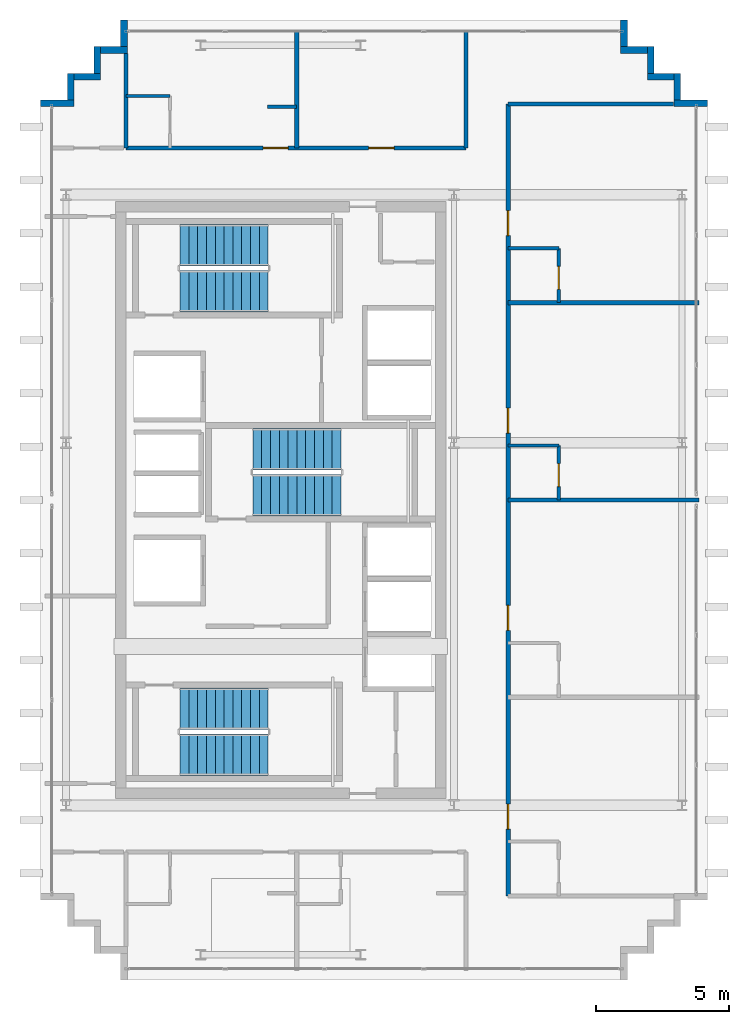
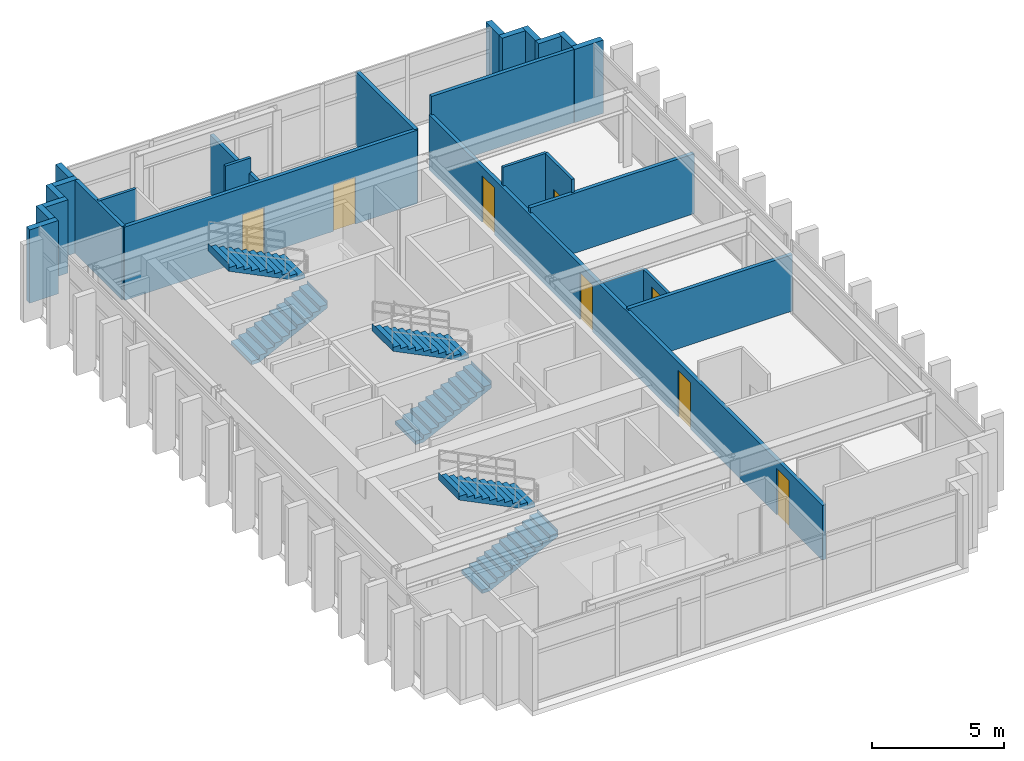
# One storey, part 14 of 15: 26 walls, 8 doors, 6 stair flights, 8 openings, 3 elements without a shape of their own.
"""IFC4 building model written with IfcOpenShell, lengths in metres."""

from ifc_helpers import new_model, si_unit, direction, frame, frame_2d, origin, place, context, subcontext, project, spatial, polyline, rectangle, outline, extrude, source, transform, mapped, material, layer, layer_set, type_object, element, fill, aggregate, save


model = new_model("IFC4")

# Units and contexts
model_context = context("Model", 3, precision=1e-05, world=origin(), true_north=direction((0.0, 1.0)))
body_context = subcontext(model_context, "Body", "Model", "MODEL_VIEW")
ifc_project = project(units=[si_unit("LENGTHUNIT", "METRE"), si_unit("AREAUNIT", "SQUARE_METRE"), si_unit("VOLUMEUNIT", "CUBIC_METRE"), si_unit("PLANEANGLEUNIT", "RADIAN"), si_unit("MASSUNIT", "GRAM", prefix="KILO")], contexts=[model_context])

# Site, building, storey
site_placement = place(None, origin())
site = spatial("IfcSite", under=ifc_project, at=site_placement, CompositionType="ELEMENT")
building_placement = place(site_placement, origin())
building = spatial("IfcBuilding", under=site, at=building_placement, Name="Ocotamira Hotel", CompositionType="ELEMENT")
storey_placement = place(building_placement, frame((0.0, 0.0, 286.800048828125)))
storey = spatial("IfcBuildingStorey", under=building, at=storey_placement, Name="L73", CompositionType="ELEMENT", Elevation=286.800048828125)

# Walls
ifc_material_1 = material(Name="Precast concrete C45/55", Category="concrete")
ifc_layer_1 = layer(ifc_material_1, 0.25)
ifc_layer_set_1 = layer_set([ifc_layer_1], Name="Precast concrete C45/55")
wall_type_1 = type_object("IfcWallType", Name="WL-EXT-SER-250", PredefinedType="SOLIDWALL", material=ifc_layer_set_1)
wall_1_placement = place(storey_placement, frame((33.0, 40.875, 0.0), z_axis=(0.0, 0.0, 1.0), x_axis=(-1.0, 0.0, 0.0)))
element("IfcWall", 1, at=wall_1_placement, inside=storey, type_object=wall_type_1, Name="L73 Serrated Corner Wall 07", PredefinedType="SOLIDWALL", context=body_context, shape_type="SweptSolid", body=[
    extrude(rectangle(XDim=1.25, YDim=0.25, at=frame_2d((0.625, 0.0))), origin(), (0.0, 0.0, 1.0), 3.3798828125),
])
for number, where, z_axis, x_axis, name in (
    (2, (31.875, 41.0, 0.0), (0.0, 0.0, 1.0), (0.0, 1.0, 0.0), "L73 Serrated Corner Wall 08"),
    (3, (31.75, 41.875, 0.0), (0.0, 0.0, 1.0), (-1.0, 0.0, 0.0), "L73 Serrated Corner Wall 09"),
    (4, (30.875, 42.0, 0.0), (0.0, 0.0, 1.0), (0.0, 1.0, 0.0), "L73 Serrated Corner Wall 10"),
    (5, (30.75, 42.875, 0.0), (0.0, 0.0, 1.0), (-1.0, 0.0, 0.0), "L73 Serrated Corner Wall 11"),
    (6, (29.875, 43.0, 0.0), (0.0, 0.0, 1.0), (0.0, 1.0, 0.0), "L73 Serrated Corner Wall 12"),
    (7, (11.125, 44.0, 0.0), (0.0, 0.0, 1.0), (0.0, -1.0, 0.0), "L73 Serrated Corner Wall 13"),
    (8, (11.25, 42.875, 0.0), (0.0, 0.0, 1.0), (-1.0, 0.0, 0.0), "L73 Serrated Corner Wall 14"),
    (9, (10.125, 43.0, 0.0), (0.0, 0.0, 1.0), (0.0, -1.0, 0.0), "L73 Serrated Corner Wall 15"),
    (10, (10.25, 41.875, 0.0), (0.0, 0.0, 1.0), (-1.0, 0.0, 0.0), "L73 Serrated Corner Wall 16"),
    (11, (9.125, 42.0, 0.0), (0.0, 0.0, 1.0), (0.0, -1.0, 0.0), "L73 Serrated Corner Wall 17"),
):
    element("IfcWall", number, at=place(storey_placement, frame(where, z_axis=z_axis, x_axis=x_axis)), inside=storey, type_object=wall_type_1, Name=name, PredefinedType="SOLIDWALL", context=body_context, shape_type="SweptSolid", body=[
        extrude(rectangle(XDim=1.0, YDim=0.25, at=frame_2d((0.5, 0.0))), origin(), (0.0, 0.0, 1.0), 3.3798828125),
    ])
wall_2_placement = place(storey_placement, frame((9.25, 40.875, 0.0), z_axis=(0.0, 0.0, 1.0), x_axis=(-1.0, 0.0, 0.0)))
element("IfcWall", 12, at=wall_2_placement, inside=storey, type_object=wall_type_1, Name="L73 Serrated Corner Wall 18", PredefinedType="SOLIDWALL", context=body_context, shape_type="SweptSolid", body=[
    extrude(rectangle(XDim=1.25, YDim=0.25, at=frame_2d((0.625, 0.0))), origin(), (0.0, 0.0, 1.0), 3.3798828125),
])

# Wall, openings, doors
ifc_material_2 = material(Name="Acoustic double-layer fire gypsum board partition", Category="gypsum")
ifc_layer_2 = layer(ifc_material_2, 0.159912109375)
ifc_layer_set_2 = layer_set([ifc_layer_2], Name="Acoustic double-layer fire gypsum board partition")
wall_type_2 = type_object("IfcWallType", Name="WL-FIRE-160", PredefinedType="PARTITIONING", material=ifc_layer_set_2)
wall_3_placement = place(storey_placement, frame((11.199951171875, 39.199951171875, 0.0), z_axis=(0.0, 0.0, 1.0), x_axis=(1.0, 0.0, 0.0)))
wall_3 = element("IfcWall", 13, at=wall_3_placement, inside=storey, type_object=wall_type_2, Name="L73 Interior Wall PW-L73-WP1N-CORRW", PredefinedType="PARTITIONING", context=body_context, shape_type="SweptSolid", body=[
    extrude(rectangle(XDim=12.75, YDim=0.159912109375, at=frame_2d((6.375, 0.0))), origin(), (0.0, 0.0, 1.0), 3.3798828125),
])
opening_1_placement = place(wall_3_placement, frame((5.139892578125, 0.0, 0.0)))
opening_1 = element("IfcOpeningElement", 14, at=opening_1_placement, cuts=wall_3, Name="Opening D-GR1", PredefinedType="OPENING", context=body_context, shape_type="SweptSolid", body=[
    extrude(rectangle(XDim=0.93994140625, YDim=2.14990234375, at=frame_2d((0.469970703125, 1.074951171875))), frame((0.0, 0.08984375, 0.0), z_axis=(0.0, -1.0, 0.0), x_axis=(1.0, 0.0, 0.0)), (0.0, 0.0, 1.0), 0.179931640625),
])
opening_2_placement = place(wall_3_placement, frame((9.094970703125, 0.0, 0.0)))
opening_2 = element("IfcOpeningElement", 15, at=opening_2_placement, cuts=wall_3, Name="Opening D-SV4", PredefinedType="OPENING", context=body_context, shape_type="SweptSolid", body=[
    extrude(rectangle(XDim=0.9599609375, YDim=2.14990234375, at=frame_2d((0.47998046875, 1.074951171875))), frame((0.0, 0.08984375, 0.0), z_axis=(0.0, -1.0, 0.0), x_axis=(1.0, 0.0, 0.0)), (0.0, 0.0, 1.0), 0.179931640625),
])
ifc_material_3 = material(Name="Fire-rated accessible walnut salon door", Category="wood")
door_type_1 = type_object("IfcDoorType", Name="DR-SERV-960", OperationType="NOTDEFINED", PredefinedType="DOOR", material=ifc_material_3)
shared_shape_1 = source(origin(), body_context, "Body", "SweptSolid", [
    extrude(rectangle(XDim=0.9599609375, YDim=2.14990234375, at=frame_2d((0.47998046875, 1.074951171875))), frame((0.0, 0.02490234375, 0.0), z_axis=(0.0, -1.0, 0.0), x_axis=(1.0, 0.0, 0.0)), (0.0, 0.0, 1.0), 0.050048828125),
])
door_1_placement = place(opening_2_placement, origin())
door_1 = element("IfcDoor", 16, at=door_1_placement, inside=storey, type_object=door_type_1, Name="L73 Door ID-L73-WP1N-AMD2 [ID-L73-WP1N-AMD2]", OperationType="SINGLE_SWING_RIGHT", OverallHeight=2.14990234375, OverallWidth=0.9599609375, PredefinedType="DOOR", context=body_context, shape_type="MappedRepresentation", body=[
    mapped(shared_shape_1, transform((0.0, 0.0, 0.0), scale=1.0)),
])
fill(opening_2, door_1)
ifc_material_4 = material(Name="Solid-core walnut suite entrance fire door", Category="wood")
door_type_2 = type_object("IfcDoorType", Name="DR-GUEST-940", OperationType="NOTDEFINED", PredefinedType="DOOR", material=ifc_material_4)
shared_shape_2 = source(origin(), body_context, "Body", "SweptSolid", [
    extrude(rectangle(XDim=0.93994140625, YDim=2.14990234375, at=frame_2d((0.469970703125, 1.074951171875))), frame((0.0, 0.02490234375, 0.0), z_axis=(0.0, -1.0, 0.0), x_axis=(1.0, 0.0, 0.0)), (0.0, 0.0, 1.0), 0.050048828125),
])
door_2_placement = place(opening_1_placement, origin())
door_2 = element("IfcDoor", 17, at=door_2_placement, inside=storey, type_object=door_type_2, Name="L73 Door ID-L73-WP1N-RMD1 [ID-L73-WP1N-RMD1]", OperationType="SINGLE_SWING_LEFT", OverallHeight=2.14990234375, OverallWidth=0.93994140625, PredefinedType="DOOR", context=body_context, shape_type="MappedRepresentation", body=[
    mapped(shared_shape_2, transform((0.0, 0.0, 0.0), scale=1.0)),
])
fill(opening_1, door_2)

wall_4_placement = place(storey_placement, frame((25.530029296875, 11.14990234375, 0.0), z_axis=(0.0, 0.0, 1.0), x_axis=(0.0, 1.0, 0.0)))
wall_4 = element("IfcWall", 18, at=wall_4_placement, inside=storey, type_object=wall_type_2, Name="L73 Interior Wall PW-L73-WP-EASTW-FULL", PredefinedType="PARTITIONING", context=body_context, shape_type="SweptSolid", body=[
    extrude(rectangle(XDim=29.7001953125, YDim=0.159912109375, at=frame_2d((14.85009765625, 0.0))), origin(), (0.0, 0.0, 1.0), 2.52392578125),
])
opening_3_placement = place(wall_4_placement, frame((2.510009765625, 0.0, 0.0)))
opening_3 = element("IfcOpeningElement", 19, at=opening_3_placement, cuts=wall_4, Name="Opening D-GR1", PredefinedType="OPENING", context=body_context, shape_type="SweptSolid", body=[
    extrude(rectangle(XDim=0.93994140625, YDim=2.14990234375, at=frame_2d((0.469970703125, 1.074951171875))), frame((0.0, 0.08984375, 0.0), z_axis=(0.0, -1.0, 0.0), x_axis=(1.0, 0.0, 0.0)), (0.0, 0.0, 1.0), 0.179931640625),
])
opening_4_placement = place(wall_4_placement, frame((9.9599609375, 0.0, 0.0)))
opening_4 = element("IfcOpeningElement", 20, at=opening_4_placement, cuts=wall_4, Name="Opening D-GR1", PredefinedType="OPENING", context=body_context, shape_type="SweptSolid", body=[
    extrude(rectangle(XDim=0.93994140625, YDim=2.14990234375, at=frame_2d((0.469970703125, 1.074951171875))), frame((0.0, 0.08984375, 0.0), z_axis=(0.0, -1.0, 0.0), x_axis=(1.0, 0.0, 0.0)), (0.0, 0.0, 1.0), 0.179931640625),
])
opening_5_placement = place(wall_4_placement, frame((17.360107421875, 0.0, 0.0)))
opening_5 = element("IfcOpeningElement", 21, at=opening_5_placement, cuts=wall_4, Name="Opening D-GR1", PredefinedType="OPENING", context=body_context, shape_type="SweptSolid", body=[
    extrude(rectangle(XDim=0.93994140625, YDim=2.14990234375, at=frame_2d((0.469970703125, 1.074951171875))), frame((0.0, 0.08984375, 0.0), z_axis=(0.0, -1.0, 0.0), x_axis=(1.0, 0.0, 0.0)), (0.0, 0.0, 1.0), 0.179931640625),
])
opening_6_placement = place(wall_4_placement, frame((24.760009765625, 0.0, 0.0)))
opening_6 = element("IfcOpeningElement", 22, at=opening_6_placement, cuts=wall_4, Name="Opening D-GR1", PredefinedType="OPENING", context=body_context, shape_type="SweptSolid", body=[
    extrude(rectangle(XDim=0.93994140625, YDim=2.14990234375, at=frame_2d((0.469970703125, 1.074951171875))), frame((0.0, 0.08984375, 0.0), z_axis=(0.0, -1.0, 0.0), x_axis=(1.0, 0.0, 0.0)), (0.0, 0.0, 1.0), 0.179931640625),
])
door_3_placement = place(opening_3_placement, origin())
door_3 = element("IfcDoor", 23, at=door_3_placement, inside=storey, type_object=door_type_2, Name="L73 Door ID-L73-WP-ERD1 [ID-L73-WP-ERD1]", OperationType="SINGLE_SWING_LEFT", OverallHeight=2.14990234375, OverallWidth=0.93994140625, PredefinedType="DOOR", context=body_context, shape_type="MappedRepresentation", body=[
    mapped(shared_shape_2, transform((0.0, 0.0, 0.0), scale=1.0)),
])
fill(opening_3, door_3)
door_4_placement = place(opening_4_placement, origin())
door_4 = element("IfcDoor", 24, at=door_4_placement, inside=storey, type_object=door_type_2, Name="L73 Door ID-L73-WP-ERD2 [ID-L73-WP-ERD2]", OperationType="SINGLE_SWING_RIGHT", OverallHeight=2.14990234375, OverallWidth=0.93994140625, PredefinedType="DOOR", context=body_context, shape_type="MappedRepresentation", body=[
    mapped(shared_shape_2, transform((0.0, 0.0, 0.0), scale=1.0)),
])
fill(opening_4, door_4)
door_5_placement = place(opening_5_placement, origin())
door_5 = element("IfcDoor", 25, at=door_5_placement, inside=storey, type_object=door_type_2, Name="L73 Door ID-L73-WP-ERD3 [ID-L73-WP-ERD3]", OperationType="SINGLE_SWING_LEFT", OverallHeight=2.14990234375, OverallWidth=0.93994140625, PredefinedType="DOOR", context=body_context, shape_type="MappedRepresentation", body=[
    mapped(shared_shape_2, transform((0.0, 0.0, 0.0), scale=1.0)),
])
fill(opening_5, door_5)
door_6_placement = place(opening_6_placement, origin())
door_6 = element("IfcDoor", 26, at=door_6_placement, inside=storey, type_object=door_type_2, Name="L73 Door ID-L73-WP-ERD4 [ID-L73-WP-ERD4]", OperationType="SINGLE_SWING_RIGHT", OverallHeight=2.14990234375, OverallWidth=0.93994140625, PredefinedType="DOOR", context=body_context, shape_type="MappedRepresentation", body=[
    mapped(shared_shape_2, transform((0.0, 0.0, 0.0), scale=1.0)),
])
fill(opening_6, door_6)

# Walls
ifc_material_5 = material(Name="Moisture-resistant en-suite tile and gypsum partition", Category="gypsum")
ifc_layer_3 = layer(ifc_material_5, 0.1201171875)
ifc_layer_set_3 = layer_set([ifc_layer_3], Name="Moisture-resistant en-suite tile and gypsum partition")
wall_type_3 = type_object("IfcWallType", Name="WL-PART-120", PredefinedType="PARTITIONING", material=ifc_layer_set_3)
wall_5_placement = place(storey_placement, frame((11.199951171875, 41.14990234375, 0.0), z_axis=(0.0, 0.0, 1.0), x_axis=(1.0, 0.0, 0.0)))
element("IfcWall", 27, at=wall_5_placement, inside=storey, type_object=wall_type_3, Name="L73 Interior Wall PW-L73-WP1N-BAN1", PredefinedType="PARTITIONING", context=body_context, shape_type="SweptSolid", body=[
    extrude(rectangle(XDim=1.650146484375, YDim=0.1201171875, at=frame_2d((0.8251953125, 0.0))), origin(), (0.0, 0.0, 1.0), 3.3798828125),
])
wall_6_placement = place(storey_placement, frame((16.5, 40.75, 0.0), z_axis=(0.0, 0.0, 1.0), x_axis=(1.0, 0.0, 0.0)))
element("IfcWall", 28, at=wall_6_placement, inside=storey, type_object=wall_type_3, Name="L73 Interior Wall PW-L73-WP1N-DRN1", PredefinedType="PARTITIONING", context=body_context, shape_type="SweptSolid", body=[
    extrude(rectangle(XDim=1.10009765625, YDim=0.1201171875, at=frame_2d((0.550048828125, 0.0))), origin(), (0.0, 0.0, 1.0), 3.3798828125),
])

# Wall, opening, door
wall_7_placement = place(storey_placement, frame((27.429931640625, 26.0, 0.0), z_axis=(0.0, 0.0, 1.0), x_axis=(0.0, 1.0, 0.0)))
wall_7 = element("IfcWall", 29, at=wall_7_placement, inside=storey, type_object=wall_type_3, Name="L73 Interior Wall PW-L73-WP-EBE3", PredefinedType="PARTITIONING", context=body_context, shape_type="SweptSolid", body=[
    extrude(rectangle(XDim=2.0400390625, YDim=0.1201171875, at=frame_2d((1.02001953125, 0.0))), origin(), (0.0, 0.0, 1.0), 2.52392578125),
])
opening_7_placement = place(wall_7_placement, frame((0.5, 0.0, 0.0)))
opening_7 = element("IfcOpeningElement", 30, at=opening_7_placement, cuts=wall_7, Name="Opening D-BA1", PredefinedType="OPENING", context=body_context, shape_type="SweptSolid", body=[
    extrude(rectangle(XDim=0.860107421875, YDim=2.10009765625, at=frame_2d((0.43017578125, 1.050048828125))), frame((0.0, 0.070068359375, 0.0), z_axis=(0.0, -1.0, 0.0), x_axis=(1.0, 0.0, 0.0)), (0.0, 0.0, 1.0), 0.14013671875),
])
ifc_material_6 = material(Name="Moisture-sealed en-suite timber door", Category="wood")
door_type_3 = type_object("IfcDoorType", Name="DR-BATH-860", OperationType="NOTDEFINED", PredefinedType="DOOR", material=ifc_material_6)
shared_shape_3 = source(origin(), body_context, "Body", "SweptSolid", [
    extrude(rectangle(XDim=0.860107421875, YDim=2.10009765625, at=frame_2d((0.43017578125, 1.050048828125))), frame((0.0, 0.02490234375, 0.0), z_axis=(0.0, -1.0, 0.0), x_axis=(1.0, 0.0, 0.0)), (0.0, 0.0, 1.0), 0.050048828125),
])
door_7_placement = place(opening_7_placement, origin())
door_7 = element("IfcDoor", 31, at=door_7_placement, inside=storey, type_object=door_type_3, Name="L73 Door ID-L73-WP-EBD3 [ID-L73-WP-EBD3]", OperationType="SINGLE_SWING_LEFT", OverallHeight=2.10009765625, OverallWidth=0.860107421875, PredefinedType="DOOR", context=body_context, shape_type="MappedRepresentation", body=[
    mapped(shared_shape_3, transform((0.0, 0.0, 0.0), scale=1.0)),
])
fill(opening_7, door_7)

# Wall
wall_8_placement = place(storey_placement, frame((25.530029296875, 28.0400390625, 0.0), z_axis=(0.0, 0.0, 1.0), x_axis=(1.0, 0.0, 0.0)))
element("IfcWall", 32, at=wall_8_placement, inside=storey, type_object=wall_type_3, Name="L73 Interior Wall PW-L73-WP-EBN3", PredefinedType="PARTITIONING", context=body_context, shape_type="SweptSolid", body=[
    extrude(rectangle(XDim=1.89990234375, YDim=0.1201171875, at=frame_2d((0.949951171875, 0.0))), origin(), (0.0, 0.0, 1.0), 2.52392578125),
])

# Wall, opening, door
wall_9_placement = place(storey_placement, frame((27.429931640625, 33.39990234375, 0.0), z_axis=(0.0, 0.0, 1.0), x_axis=(0.0, 1.0, 0.0)))
wall_9 = element("IfcWall", 33, at=wall_9_placement, inside=storey, type_object=wall_type_3, Name="L73 Interior Wall PW-L73-WP-EBE4", PredefinedType="PARTITIONING", context=body_context, shape_type="SweptSolid", body=[
    extrude(rectangle(XDim=2.0400390625, YDim=0.1201171875, at=frame_2d((1.02001953125, 0.0))), origin(), (0.0, 0.0, 1.0), 3.3798828125),
])
opening_8_placement = place(wall_9_placement, frame((0.5, 0.0, 0.0)))
opening_8 = element("IfcOpeningElement", 34, at=opening_8_placement, cuts=wall_9, Name="Opening D-BA1", PredefinedType="OPENING", context=body_context, shape_type="SweptSolid", body=[
    extrude(rectangle(XDim=0.860107421875, YDim=2.10009765625, at=frame_2d((0.43017578125, 1.050048828125))), frame((0.0, 0.070068359375, 0.0), z_axis=(0.0, -1.0, 0.0), x_axis=(1.0, 0.0, 0.0)), (0.0, 0.0, 1.0), 0.14013671875),
])
door_8_placement = place(opening_8_placement, origin())
door_8 = element("IfcDoor", 35, at=door_8_placement, inside=storey, type_object=door_type_3, Name="L73 Door ID-L73-WP-EBD4 [ID-L73-WP-EBD4]", OperationType="SINGLE_SWING_LEFT", OverallHeight=2.10009765625, OverallWidth=0.860107421875, PredefinedType="DOOR", context=body_context, shape_type="MappedRepresentation", body=[
    mapped(shared_shape_3, transform((0.0, 0.0, 0.0), scale=1.0)),
])
fill(opening_8, door_8)

# Walls
wall_10_placement = place(storey_placement, frame((25.530029296875, 35.43994140625, 0.0), z_axis=(0.0, 0.0, 1.0), x_axis=(1.0, 0.0, 0.0)))
element("IfcWall", 36, at=wall_10_placement, inside=storey, type_object=wall_type_3, Name="L73 Interior Wall PW-L73-WP-EBN4", PredefinedType="PARTITIONING", context=body_context, shape_type="SweptSolid", body=[
    extrude(rectangle(XDim=1.89990234375, YDim=0.1201171875, at=frame_2d((0.949951171875, 0.0))), origin(), (0.0, 0.0, 1.0), 3.3798828125),
])
ifc_material_7 = material(Name="Acoustic double-stud hospitality gypsum partition", Category="gypsum")
ifc_layer_4 = layer(ifc_material_7, 0.159912109375)
ifc_layer_set_4 = layer_set([ifc_layer_4], Name="Acoustic double-stud hospitality gypsum partition")
wall_type_4 = type_object("IfcWallType", Name="WL-PART-160", PredefinedType="PARTITIONING", material=ifc_layer_set_4)
wall_11_placement = place(storey_placement, frame((11.199951171875, 39.199951171875, 0.0), z_axis=(0.0, 0.0, 1.0), x_axis=(0.0, 1.0, 0.0)))
element("IfcWall", 37, at=wall_11_placement, inside=storey, type_object=wall_type_4, Name="L73 Interior Wall PW-L73-WP1N-PW0", PredefinedType="PARTITIONING", context=body_context, shape_type="SweptSolid", body=[
    extrude(rectangle(XDim=3.5400390625, YDim=0.159912109375, at=frame_2d((1.77001953125, 0.0))), origin(), (0.0, 0.0, 1.0), 3.3798828125),
])
wall_12_placement = place(storey_placement, frame((23.949951171875, 39.199951171875, 0.0), z_axis=(0.0, 0.0, 1.0), x_axis=(0.0, 1.0, 0.0)))
element("IfcWall", 38, at=wall_12_placement, inside=storey, type_object=wall_type_4, Name="L73 Interior Wall PW-L73-WP1N-PWEND", PredefinedType="PARTITIONING", context=body_context, shape_type="SweptSolid", body=[
    extrude(rectangle(XDim=4.43994140625, YDim=0.159912109375, at=frame_2d((2.219970703125, 0.0))), origin(), (0.0, 0.0, 1.0), 3.3798828125),
])
wall_13_placement = place(storey_placement, frame((17.60009765625, 39.199951171875, 0.0), z_axis=(0.0, 0.0, 1.0), x_axis=(0.0, 1.0, 0.0)))
element("IfcWall", 39, at=wall_13_placement, inside=storey, type_object=wall_type_4, Name="L73 Interior Wall PW-L73-WP1N-PW1", PredefinedType="PARTITIONING", context=body_context, shape_type="SweptSolid", body=[
    extrude(rectangle(XDim=4.43994140625, YDim=0.159912109375, at=frame_2d((2.219970703125, 0.0))), origin(), (0.0, 0.0, 1.0), 2.68701171875),
])
wall_14_placement = place(storey_placement, frame((25.530029296875, 40.85009765625, 0.0), z_axis=(0.0, 0.0, 1.0), x_axis=(1.0, 0.0, 0.0)))
element("IfcWall", 40, at=wall_14_placement, inside=storey, type_object=wall_type_4, Name="L73 Interior Wall PW-L73-WP-EDIVN", PredefinedType="PARTITIONING", context=body_context, shape_type="SweptSolid", body=[
    extrude(rectangle(XDim=6.2099609375, YDim=0.159912109375, at=frame_2d((3.10498046875, 0.0))), origin(), (0.0, 0.0, 1.0), 3.3798828125),
])
wall_15_placement = place(storey_placement, frame((25.530029296875, 26.0, 0.0), z_axis=(0.0, 0.0, 1.0), x_axis=(1.0, 0.0, 0.0)))
element("IfcWall", 41, at=wall_15_placement, inside=storey, type_object=wall_type_4, Name="L73 Interior Wall PW-L73-WP-EDIV2", PredefinedType="PARTITIONING", context=body_context, shape_type="SweptSolid", body=[
    extrude(rectangle(XDim=7.14990234375, YDim=0.159912109375, at=frame_2d((3.574951171875, 0.0))), origin(), (0.0, 0.0, 1.0), 2.600830078125),
])
wall_16_placement = place(storey_placement, frame((25.530029296875, 33.39990234375, 0.0), z_axis=(0.0, 0.0, 1.0), x_axis=(1.0, 0.0, 0.0)))
element("IfcWall", 42, at=wall_16_placement, inside=storey, type_object=wall_type_4, Name="L73 Interior Wall PW-L73-WP-EDIV3", PredefinedType="PARTITIONING", context=body_context, shape_type="SweptSolid", body=[
    extrude(rectangle(XDim=7.14990234375, YDim=0.159912109375, at=frame_2d((3.574951171875, 0.0))), origin(), (0.0, 0.0, 1.0), 2.762939453125),
])

# Stair, stair flights
ifc_material_8 = material(Name="Concrete C40/50", Category="concrete")
stair_type = type_object("IfcStairType", Name="ST-CORE-1560", PredefinedType="HALF_TURN_STAIR", material=ifc_material_8)
stair_1_placement = place(storey_placement, origin())
stair_1 = element("IfcStair", 43, at=stair_1_placement, inside=storey, type_object=stair_type, Name="L73 Exit Stair ST-1", PredefinedType="HALF_TURN_STAIR")
stair_flight_type = type_object("IfcStairFlightType", Name="STF-CORE-1560", PredefinedType="STRAIGHT", material=ifc_material_8)
shared_shape_4 = source(origin(), body_context, "Body", "SweptSolid", [
    extrude(outline(polyline([(-0.00390625, 0.0), (-0.00390625, 0.16357421875), (0.330078125, 0.16357421875), (0.330078125, 0.327392578125), (0.659912109375, 0.327392578125), (0.659912109375, 0.490966796875), (0.989990234375, 0.490966796875), (0.989990234375, 0.654541015625), (1.320068359375, 0.654541015625), (1.320068359375, 0.818115234375), (1.64990234375, 0.818115234375), (1.64990234375, 0.98193359375), (1.97998046875, 0.98193359375), (1.97998046875, 1.1455078125), (2.31005859375, 1.1455078125), (2.31005859375, 1.30908203125), (2.639892578125, 1.30908203125), (2.639892578125, 1.47265625), (2.969970703125, 1.47265625), (2.969970703125, 1.636474609375), (3.300048828125, 1.636474609375), (3.300048828125, 1.800048828125), (3.303955078125, 1.800048828125), (3.303955078125, 1.468994140625), (0.33740234375, 0.0), (-0.00390625, 0.0)])), frame((0.0, 0.780029296875, 0.0), z_axis=(0.0, -1.0, 0.0), x_axis=(1.0, 0.0, 0.0)), (0.0, 0.0, 1.0), 1.56005859375),
])
stair_flight_1_placement = place(storey_placement, frame((13.22998046875, 16.449951171875, 0.0), z_axis=(0.0, 0.0, 1.0), x_axis=(1.0, 0.0, 0.0)))
stair_flight_1 = element("IfcStairFlight", 44, at=stair_flight_1_placement, type_object=stair_flight_type, Name="ST-1 flight 1", NumberOfRisers=11, NumberOfTreads=10, PredefinedType="STRAIGHT", RiserHeight=0.163636364, TreadLength=0.33, context=body_context, shape_type="MappedRepresentation", body=[
    mapped(shared_shape_4, transform((0.0, 0.0, 0.0), scale=1.0)),
])
stair_flight_2_placement = place(storey_placement, frame((16.530029296875, 18.169921875, 1.800048828125), z_axis=(0.0, 0.0, 1.0), x_axis=(-1.0, 0.0, 0.0)))
stair_flight_2 = element("IfcStairFlight", 45, at=stair_flight_2_placement, type_object=stair_flight_type, Name="ST-1 flight 2", NumberOfRisers=11, NumberOfTreads=10, PredefinedType="STRAIGHT", RiserHeight=0.163636364, TreadLength=0.33, context=body_context, shape_type="MappedRepresentation", body=[
    mapped(shared_shape_4, transform((0.0, 0.0, 0.0), scale=1.0)),
])
aggregate(stair_1, [stair_flight_1, stair_flight_2])

stair_2_placement = place(storey_placement, origin())
stair_2 = element("IfcStair", 46, at=stair_2_placement, inside=storey, type_object=stair_type, Name="L73 Exit Stair ST-2", PredefinedType="HALF_TURN_STAIR")
stair_flight_3_placement = place(storey_placement, frame((13.22998046875, 33.830078125, 0.0), z_axis=(0.0, 0.0, 1.0), x_axis=(1.0, 0.0, 0.0)))
stair_flight_3 = element("IfcStairFlight", 47, at=stair_flight_3_placement, type_object=stair_flight_type, Name="ST-2 flight 1", NumberOfRisers=11, NumberOfTreads=10, PredefinedType="STRAIGHT", RiserHeight=0.163636364, TreadLength=0.33, context=body_context, shape_type="MappedRepresentation", body=[
    mapped(shared_shape_4, transform((0.0, 0.0, 0.0), scale=1.0)),
])
stair_flight_4_placement = place(storey_placement, frame((16.530029296875, 35.550048828125, 1.800048828125), z_axis=(0.0, 0.0, 1.0), x_axis=(-1.0, 0.0, 0.0)))
stair_flight_4 = element("IfcStairFlight", 48, at=stair_flight_4_placement, type_object=stair_flight_type, Name="ST-2 flight 2", NumberOfRisers=11, NumberOfTreads=10, PredefinedType="STRAIGHT", RiserHeight=0.163636364, TreadLength=0.33, context=body_context, shape_type="MappedRepresentation", body=[
    mapped(shared_shape_4, transform((0.0, 0.0, 0.0), scale=1.0)),
])
aggregate(stair_2, [stair_flight_3, stair_flight_4])

stair_3_placement = place(storey_placement, origin())
stair_3 = element("IfcStair", 49, at=stair_3_placement, inside=storey, type_object=stair_type, Name="L73 Exit Stair ST-3", PredefinedType="HALF_TURN_STAIR")
stair_flight_5_placement = place(storey_placement, frame((15.9599609375, 26.179931640625, 0.0), z_axis=(0.0, 0.0, 1.0), x_axis=(1.0, 0.0, 0.0)))
stair_flight_5 = element("IfcStairFlight", 50, at=stair_flight_5_placement, type_object=stair_flight_type, Name="ST-3 flight 1", NumberOfRisers=11, NumberOfTreads=10, PredefinedType="STRAIGHT", RiserHeight=0.163636364, TreadLength=0.33, context=body_context, shape_type="MappedRepresentation", body=[
    mapped(shared_shape_4, transform((0.0, 0.0, 0.0), scale=1.0)),
])
stair_flight_6_placement = place(storey_placement, frame((19.260009765625, 27.89990234375, 1.800048828125), z_axis=(0.0, 0.0, 1.0), x_axis=(-1.0, 0.0, 0.0)))
stair_flight_6 = element("IfcStairFlight", 51, at=stair_flight_6_placement, type_object=stair_flight_type, Name="ST-3 flight 2", NumberOfRisers=11, NumberOfTreads=10, PredefinedType="STRAIGHT", RiserHeight=0.163636364, TreadLength=0.33, context=body_context, shape_type="MappedRepresentation", body=[
    mapped(shared_shape_4, transform((0.0, 0.0, 0.0), scale=1.0)),
])
aggregate(stair_3, [stair_flight_5, stair_flight_6])

save(model, "model.ifc")
